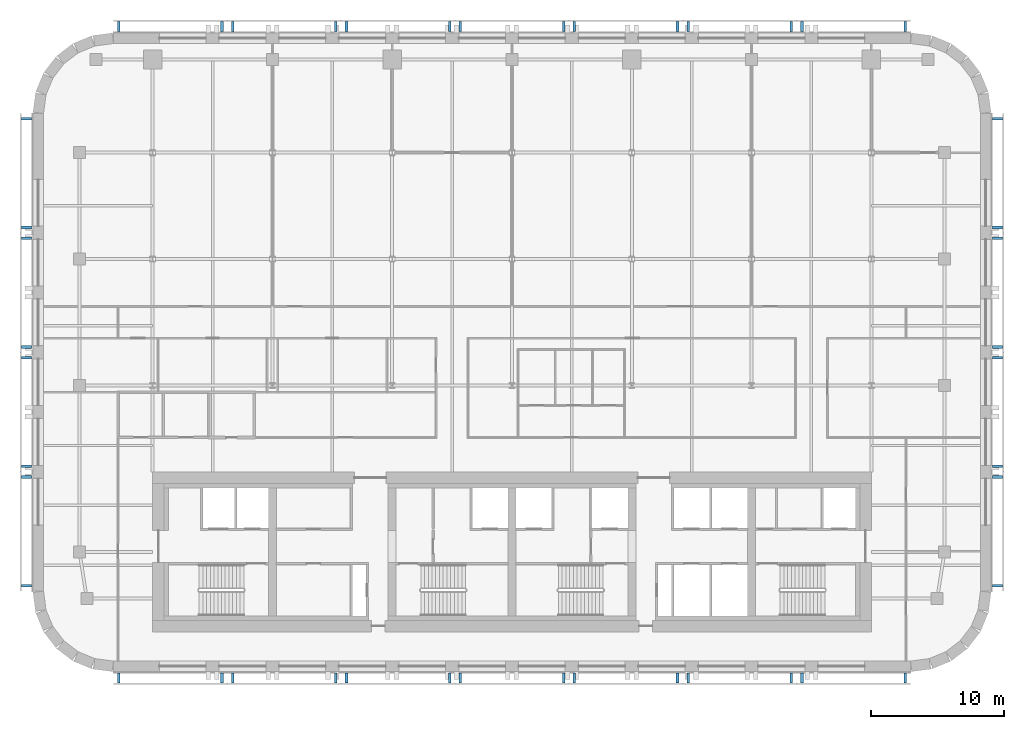
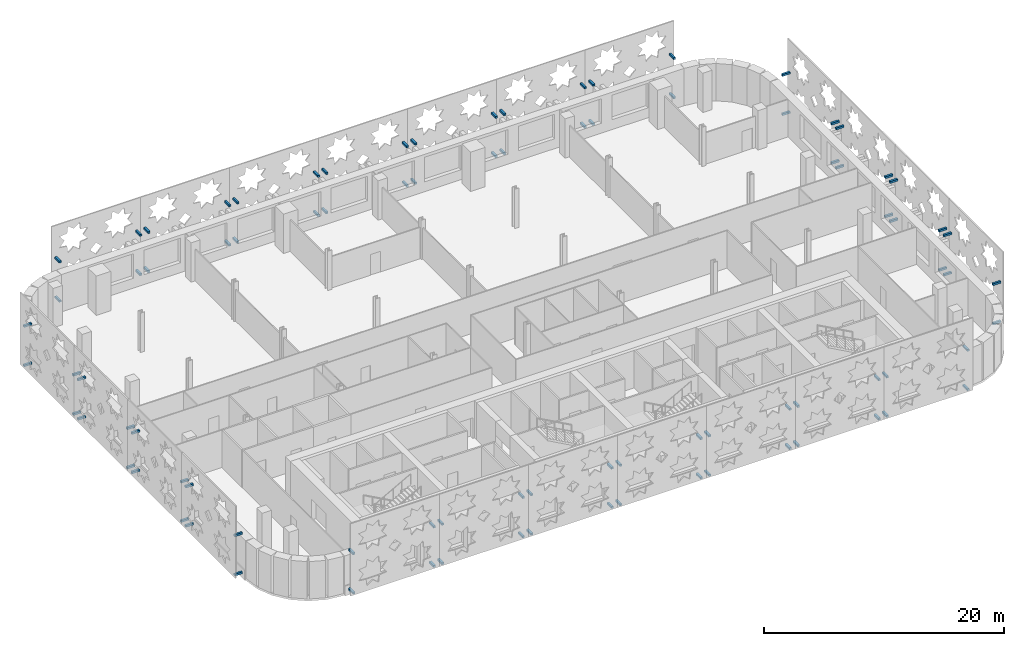
# One storey, part 8 of 12: 88 discrete accessories.
"""IFC4 building model written with IfcOpenShell, lengths in metres."""

from ifc_helpers import new_model, si_unit, direction, frame, origin, origin_2d, place, context, subcontext, project, spatial, rectangle, extrude, material, type_object, element, save


model = new_model("IFC4")

# Units and contexts
model_context = context("Model", 3, precision=1e-05, world=origin(), true_north=direction((0.0, 1.0)))
body_context = subcontext(model_context, "Body", "Model", "MODEL_VIEW")
ifc_project = project(units=[si_unit("LENGTHUNIT", "METRE"), si_unit("AREAUNIT", "SQUARE_METRE"), si_unit("VOLUMEUNIT", "CUBIC_METRE"), si_unit("PLANEANGLEUNIT", "RADIAN"), si_unit("MASSUNIT", "GRAM", prefix="KILO")], contexts=[model_context])

# Site, building, storey
site_placement = place(None, origin())
site = spatial("IfcSite", under=ifc_project, at=site_placement, CompositionType="ELEMENT")
building_placement = place(site_placement, origin())
building = spatial("IfcBuilding", under=site, at=building_placement, Name="Zellij Exchange Tower", CompositionType="ELEMENT")
storey_placement = place(building_placement, frame((0.0, 0.0, 196.5)))
storey = spatial("IfcBuildingStorey", under=building, at=storey_placement, Name="L45", CompositionType="ELEMENT", Elevation=196.5)

# Discrete accessories
ifc_material = material(Name="Stainless steel", Category="steel")
discrete_accessory_type = type_object("IfcDiscreteAccessoryType", Name="ENV-BR1 Stone panel bracket 200", PredefinedType="USERDEFINED", material=ifc_material)
for number, where, z_axis, x_axis, name in (
    (1, (-36.47509765625, 24.547607421875, 0.2998046875), (0.0, 0.0, 1.0), (0.0, -1.0, 0.0), "Panel bracket"),
    (2, (-36.47509765625, 16.373779296875, 0.2998046875), (0.0, 0.0, 1.0), (0.0, -1.0, 0.0), "Panel bracket"),
    (3, (-36.47509765625, 24.547607421875, 4.2998046875), (0.0, 0.0, 1.0), (0.0, -1.0, 0.0), "Panel bracket"),
    (4, (-36.47509765625, 16.373779296875, 4.2998046875), (0.0, 0.0, 1.0), (0.0, -1.0, 0.0), "Panel bracket"),
    (5, (-36.47509765625, 15.57373046875, 0.2998046875), (0.0, 0.0, 1.0), (0.0, -1.0, 0.0), "Panel bracket"),
    (6, (-36.47509765625, 7.39990234375, 0.2998046875), (0.0, 0.0, 1.0), (0.0, -1.0, 0.0), "Panel bracket"),
    (7, (-36.47509765625, 15.57373046875, 4.2998046875), (0.0, 0.0, 1.0), (0.0, -1.0, 0.0), "Panel bracket"),
    (8, (-36.47509765625, 7.39990234375, 4.2998046875), (0.0, 0.0, 1.0), (0.0, -1.0, 0.0), "Panel bracket"),
    (9, (-36.47509765625, 6.60009765625, 0.2998046875), (0.0, 0.0, 1.0), (0.0, -1.0, 0.0), "Panel bracket"),
    (10, (-36.47509765625, -1.57373046875, 0.2998046875), (0.0, 0.0, 1.0), (0.0, -1.0, 0.0), "Panel bracket"),
    (11, (-36.47509765625, 6.60009765625, 4.2998046875), (0.0, 0.0, 1.0), (0.0, -1.0, 0.0), "Panel bracket"),
    (12, (-36.47509765625, -1.57373046875, 4.2998046875), (0.0, 0.0, 1.0), (0.0, -1.0, 0.0), "Panel bracket"),
    (13, (-36.47509765625, -2.373779296875, 0.2998046875), (0.0, 0.0, 1.0), (0.0, -1.0, 0.0), "Panel bracket"),
    (14, (-36.47509765625, -10.547607421875, 0.2998046875), (0.0, 0.0, 1.0), (0.0, -1.0, 0.0), "Panel bracket"),
    (15, (-36.47509765625, -2.373779296875, 4.2998046875), (0.0, 0.0, 1.0), (0.0, -1.0, 0.0), "Panel bracket"),
    (16, (-36.47509765625, -10.547607421875, 4.2998046875), (0.0, 0.0, 1.0), (0.0, -1.0, 0.0), "Panel bracket"),
    (17, (-29.547607421875, -17.47509765625, 0.2998046875), (0.0, 0.0, 1.0), (1.0, 0.0, 0.0), "Panel bracket"),
    (18, (-21.791015625, -17.47509765625, 0.2998046875), (0.0, 0.0, 1.0), (1.0, 0.0, 0.0), "Panel bracket"),
    (19, (-29.547607421875, -17.47509765625, 4.2998046875), (0.0, 0.0, 1.0), (1.0, 0.0, 0.0), "Panel bracket"),
    (20, (-21.791015625, -17.47509765625, 4.2998046875), (0.0, 0.0, 1.0), (1.0, 0.0, 0.0), "Panel bracket"),
    (21, (-20.9912109375, -17.47509765625, 0.2998046875), (0.0, 0.0, 1.0), (1.0, 0.0, 0.0), "Panel bracket"),
    (22, (-13.234619140625, -17.47509765625, 0.2998046875), (0.0, 0.0, 1.0), (1.0, 0.0, 0.0), "Panel bracket"),
    (23, (-20.9912109375, -17.47509765625, 4.2998046875), (0.0, 0.0, 1.0), (1.0, 0.0, 0.0), "Panel bracket"),
    (24, (-13.234619140625, -17.47509765625, 4.2998046875), (0.0, 0.0, 1.0), (1.0, 0.0, 0.0), "Panel bracket"),
    (25, (-12.434814453125, -17.47509765625, 0.2998046875), (0.0, 0.0, 1.0), (1.0, 0.0, 0.0), "Panel bracket"),
    (26, (-4.67822265625, -17.47509765625, 0.2998046875), (0.0, 0.0, 1.0), (1.0, 0.0, 0.0), "Panel bracket"),
    (27, (-12.434814453125, -17.47509765625, 4.2998046875), (0.0, 0.0, 1.0), (1.0, 0.0, 0.0), "Panel bracket"),
    (28, (-4.67822265625, -17.47509765625, 4.2998046875), (0.0, 0.0, 1.0), (1.0, 0.0, 0.0), "Panel bracket"),
    (29, (-3.878173828125, -17.47509765625, 0.2998046875), (0.0, 0.0, 1.0), (1.0, 0.0, 0.0), "Panel bracket"),
    (30, (3.878173828125, -17.47509765625, 0.2998046875), (0.0, 0.0, 1.0), (1.0, 0.0, 0.0), "Panel bracket"),
    (31, (-3.878173828125, -17.47509765625, 4.2998046875), (0.0, 0.0, 1.0), (1.0, 0.0, 0.0), "Panel bracket"),
    (32, (3.878173828125, -17.47509765625, 4.2998046875), (0.0, 0.0, 1.0), (1.0, 0.0, 0.0), "Panel bracket"),
    (33, (4.67822265625, -17.47509765625, 0.2998046875), (0.0, 0.0, 1.0), (1.0, 0.0, 0.0), "Panel bracket"),
    (34, (12.434814453125, -17.47509765625, 0.2998046875), (0.0, 0.0, 1.0), (1.0, 0.0, 0.0), "Panel bracket"),
    (35, (4.67822265625, -17.47509765625, 4.2998046875), (0.0, 0.0, 1.0), (1.0, 0.0, 0.0), "Panel bracket"),
    (36, (12.434814453125, -17.47509765625, 4.2998046875), (0.0, 0.0, 1.0), (1.0, 0.0, 0.0), "Panel bracket"),
    (37, (13.234619140625, -17.47509765625, 0.2998046875), (0.0, 0.0, 1.0), (1.0, 0.0, 0.0), "Panel bracket"),
    (38, (20.9912109375, -17.47509765625, 0.2998046875), (0.0, 0.0, 1.0), (1.0, 0.0, 0.0), "Panel bracket"),
    (39, (13.234619140625, -17.47509765625, 4.2998046875), (0.0, 0.0, 1.0), (1.0, 0.0, 0.0), "Panel bracket"),
    (40, (20.9912109375, -17.47509765625, 4.2998046875), (0.0, 0.0, 1.0), (1.0, 0.0, 0.0), "Panel bracket"),
    (41, (21.791015625, -17.47509765625, 0.2998046875), (0.0, 0.0, 1.0), (1.0, 0.0, 0.0), "Panel bracket"),
    (42, (29.547607421875, -17.47509765625, 0.2998046875), (0.0, 0.0, 1.0), (1.0, 0.0, 0.0), "Panel bracket"),
    (43, (21.791015625, -17.47509765625, 4.2998046875), (0.0, 0.0, 1.0), (1.0, 0.0, 0.0), "Panel bracket"),
    (44, (29.547607421875, -17.47509765625, 4.2998046875), (0.0, 0.0, 1.0), (1.0, 0.0, 0.0), "Panel bracket"),
    (45, (29.547607421875, 31.47509765625, 0.2998046875), (0.0, 0.0, 1.0), (-1.0, 0.0, 0.0), "Panel bracket"),
    (46, (21.791015625, 31.47509765625, 0.2998046875), (0.0, 0.0, 1.0), (-1.0, 0.0, 0.0), "Panel bracket"),
    (47, (29.547607421875, 31.47509765625, 4.2998046875), (0.0, 0.0, 1.0), (-1.0, 0.0, 0.0), "Panel bracket"),
    (48, (21.791015625, 31.47509765625, 4.2998046875), (0.0, 0.0, 1.0), (-1.0, 0.0, 0.0), "Panel bracket"),
    (49, (20.9912109375, 31.47509765625, 0.2998046875), (0.0, 0.0, 1.0), (-1.0, 0.0, 0.0), "Panel bracket"),
    (50, (13.234619140625, 31.47509765625, 0.2998046875), (0.0, 0.0, 1.0), (-1.0, 0.0, 0.0), "Panel bracket"),
    (51, (20.9912109375, 31.47509765625, 4.2998046875), (0.0, 0.0, 1.0), (-1.0, 0.0, 0.0), "Panel bracket"),
    (52, (13.234619140625, 31.47509765625, 4.2998046875), (0.0, 0.0, 1.0), (-1.0, 0.0, 0.0), "Panel bracket"),
    (53, (12.434814453125, 31.47509765625, 0.2998046875), (0.0, 0.0, 1.0), (-1.0, 0.0, 0.0), "Panel bracket"),
    (54, (4.67822265625, 31.47509765625, 0.2998046875), (0.0, 0.0, 1.0), (-1.0, 0.0, 0.0), "Panel bracket"),
    (55, (12.434814453125, 31.47509765625, 4.2998046875), (0.0, 0.0, 1.0), (-1.0, 0.0, 0.0), "Panel bracket"),
    (56, (4.67822265625, 31.47509765625, 4.2998046875), (0.0, 0.0, 1.0), (-1.0, 0.0, 0.0), "Panel bracket"),
    (57, (3.878173828125, 31.47509765625, 0.2998046875), (0.0, 0.0, 1.0), (-1.0, 0.0, 0.0), "Panel bracket"),
    (58, (-3.878173828125, 31.47509765625, 0.2998046875), (0.0, 0.0, 1.0), (-1.0, 0.0, 0.0), "Panel bracket"),
    (59, (3.878173828125, 31.47509765625, 4.2998046875), (0.0, 0.0, 1.0), (-1.0, 0.0, 0.0), "Panel bracket"),
    (60, (-3.878173828125, 31.47509765625, 4.2998046875), (0.0, 0.0, 1.0), (-1.0, 0.0, 0.0), "Panel bracket"),
    (61, (-4.67822265625, 31.47509765625, 0.2998046875), (0.0, 0.0, 1.0), (-1.0, 0.0, 0.0), "Panel bracket"),
    (62, (-12.434814453125, 31.47509765625, 0.2998046875), (0.0, 0.0, 1.0), (-1.0, 0.0, 0.0), "Panel bracket"),
    (63, (-4.67822265625, 31.47509765625, 4.2998046875), (0.0, 0.0, 1.0), (-1.0, 0.0, 0.0), "Panel bracket"),
    (64, (-12.434814453125, 31.47509765625, 4.2998046875), (0.0, 0.0, 1.0), (-1.0, 0.0, 0.0), "Panel bracket"),
    (65, (-13.234619140625, 31.47509765625, 0.2998046875), (0.0, 0.0, 1.0), (-1.0, 0.0, 0.0), "Panel bracket"),
    (66, (-20.9912109375, 31.47509765625, 0.2998046875), (0.0, 0.0, 1.0), (-1.0, 0.0, 0.0), "Panel bracket"),
    (67, (-13.234619140625, 31.47509765625, 4.2998046875), (0.0, 0.0, 1.0), (-1.0, 0.0, 0.0), "Panel bracket"),
    (68, (-20.9912109375, 31.47509765625, 4.2998046875), (0.0, 0.0, 1.0), (-1.0, 0.0, 0.0), "Panel bracket"),
    (69, (-21.791015625, 31.47509765625, 0.2998046875), (0.0, 0.0, 1.0), (-1.0, 0.0, 0.0), "Panel bracket"),
    (70, (-29.547607421875, 31.47509765625, 0.2998046875), (0.0, 0.0, 1.0), (-1.0, 0.0, 0.0), "Panel bracket"),
    (71, (-21.791015625, 31.47509765625, 4.2998046875), (0.0, 0.0, 1.0), (-1.0, 0.0, 0.0), "Panel bracket"),
    (72, (-29.547607421875, 31.47509765625, 4.2998046875), (0.0, 0.0, 1.0), (-1.0, 0.0, 0.0), "Panel bracket"),
    (73, (36.47509765625, -10.547607421875, 0.2998046875), (0.0, 0.0, 1.0), (0.0, 1.0, 0.0), "Panel bracket"),
    (74, (36.47509765625, -2.373779296875, 0.2998046875), (0.0, 0.0, 1.0), (0.0, 1.0, 0.0), "Panel bracket"),
    (75, (36.47509765625, -10.547607421875, 4.2998046875), (0.0, 0.0, 1.0), (0.0, 1.0, 0.0), "Panel bracket"),
    (76, (36.47509765625, -2.373779296875, 4.2998046875), (0.0, 0.0, 1.0), (0.0, 1.0, 0.0), "Panel bracket"),
    (77, (36.47509765625, -1.57373046875, 0.2998046875), (0.0, 0.0, 1.0), (0.0, 1.0, 0.0), "Panel bracket"),
    (78, (36.47509765625, 6.60009765625, 0.2998046875), (0.0, 0.0, 1.0), (0.0, 1.0, 0.0), "Panel bracket"),
    (79, (36.47509765625, -1.57373046875, 4.2998046875), (0.0, 0.0, 1.0), (0.0, 1.0, 0.0), "Panel bracket"),
    (80, (36.47509765625, 6.60009765625, 4.2998046875), (0.0, 0.0, 1.0), (0.0, 1.0, 0.0), "Panel bracket"),
    (81, (36.47509765625, 7.39990234375, 0.2998046875), (0.0, 0.0, 1.0), (0.0, 1.0, 0.0), "Panel bracket"),
    (82, (36.47509765625, 15.57373046875, 0.2998046875), (0.0, 0.0, 1.0), (0.0, 1.0, 0.0), "Panel bracket"),
    (83, (36.47509765625, 7.39990234375, 4.2998046875), (0.0, 0.0, 1.0), (0.0, 1.0, 0.0), "Panel bracket"),
    (84, (36.47509765625, 15.57373046875, 4.2998046875), (0.0, 0.0, 1.0), (0.0, 1.0, 0.0), "Panel bracket"),
    (85, (36.47509765625, 16.373779296875, 0.2998046875), (0.0, 0.0, 1.0), (0.0, 1.0, 0.0), "Panel bracket"),
    (86, (36.47509765625, 24.547607421875, 0.2998046875), (0.0, 0.0, 1.0), (0.0, 1.0, 0.0), "Panel bracket"),
    (87, (36.47509765625, 16.373779296875, 4.2998046875), (0.0, 0.0, 1.0), (0.0, 1.0, 0.0), "Panel bracket"),
    (88, (36.47509765625, 24.547607421875, 4.2998046875), (0.0, 0.0, 1.0), (0.0, 1.0, 0.0), "Panel bracket"),
):
    element("IfcDiscreteAccessory", number, at=place(storey_placement, frame(where, z_axis=z_axis, x_axis=x_axis)), inside=storey, type_object=discrete_accessory_type, Name=name, ObjectType="BRACKET", PredefinedType="USERDEFINED", context=body_context, shape_type="SweptSolid", body=[
        extrude(rectangle(XDim=0.199951171875, YDim=0.75, at=origin_2d()), origin(), (0.0, 0.0, 1.0), 0.199951171875),
    ])

save(model, "model.ifc")
